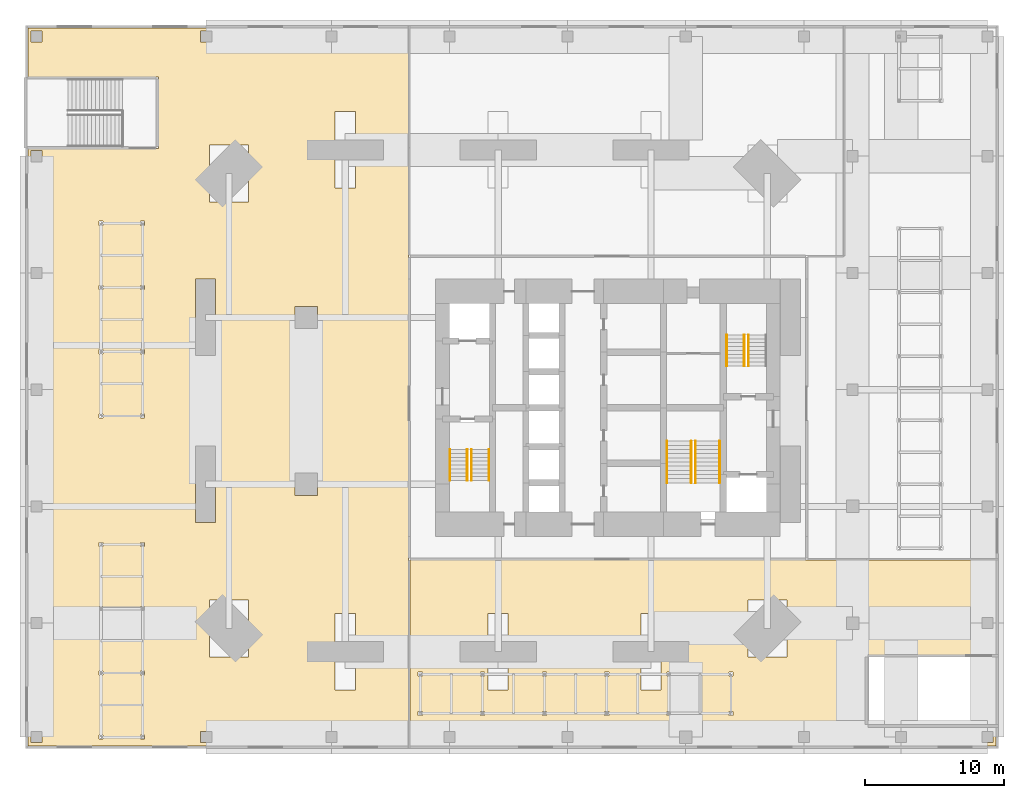
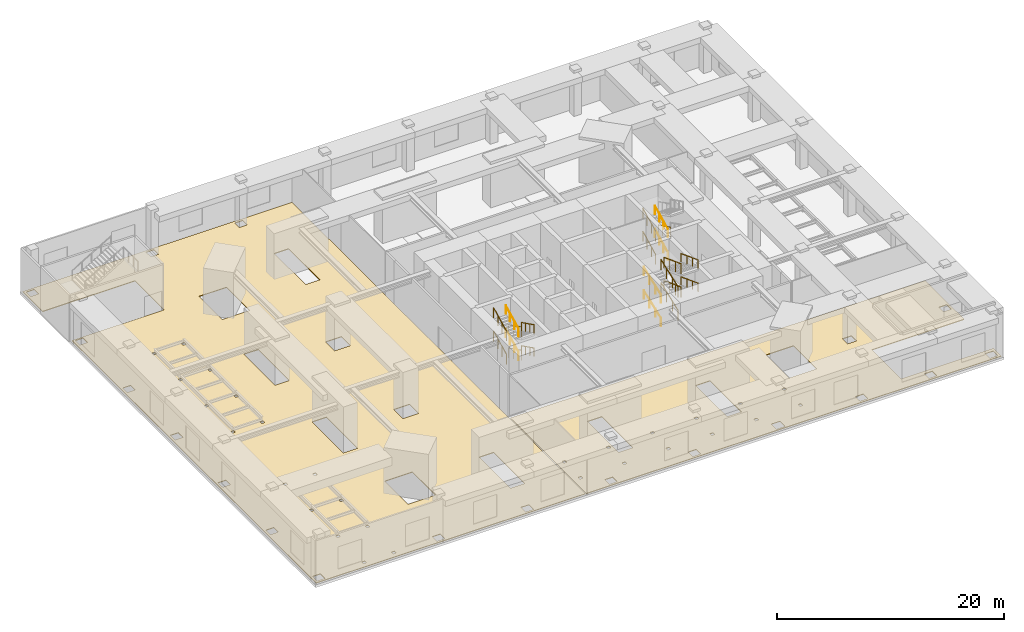
# One storey, part 16 of 17: 21 railings, 2 coverings.
"""IFC4 building model written with IfcOpenShell, lengths in metres."""

from ifc_helpers import new_model, si_unit, direction, frame, origin, origin_2d, place, context, subcontext, project, spatial, polyline, rectangle, circle, outline, extrude, material, layer, layer_set, constituent, constituent_set, type_object, element, save


model = new_model("IFC4")

# Units and contexts
model_context = context("Model", 3, precision=1e-05, world=origin(), true_north=direction((0.0, 1.0)))
body_context = subcontext(model_context, "Body", "Model", "MODEL_VIEW")
ifc_project = project(units=[si_unit("LENGTHUNIT", "METRE"), si_unit("AREAUNIT", "SQUARE_METRE"), si_unit("VOLUMEUNIT", "CUBIC_METRE"), si_unit("PLANEANGLEUNIT", "RADIAN"), si_unit("MASSUNIT", "GRAM", prefix="KILO")], contexts=[model_context])

# Site, building, storey
site_placement = place(None, origin())
site = spatial("IfcSite", under=ifc_project, at=site_placement, CompositionType="ELEMENT")
building_placement = place(site_placement, origin())
building = spatial("IfcBuilding", under=site, at=building_placement, Name="Jalousie Tower", CompositionType="ELEMENT")
storey_placement = place(building_placement, frame((0.0, 0.0, 16.0)))
storey = spatial("IfcBuildingStorey", under=building, at=storey_placement, Name="L03", CompositionType="ELEMENT", Elevation=16.0)

# Coverings
ifc_material_1 = material(Name="Sand-cement screed on resilient layer", Category="concrete")
ifc_layer = layer(ifc_material_1, 0.070068359375)
ifc_layer_set = layer_set([ifc_layer], Name="Sand-cement screed on resilient layer")
covering_type = type_object("IfcCoveringType", Name="FLOATING PLANT SCREED 70", PredefinedType="FLOORING", material=ifc_layer_set)
covering_1_placement = place(storey_placement, origin())
element("IfcCovering", 1, at=covering_1_placement, inside=storey, type_object=covering_type, Name="Floating screed Mechanical plant room", PredefinedType="FLOORING", context=body_context, shape_type="SweptSolid", body=[
    extrude(outline(polyline([(-0.449951171875, 37.14990234375), (-0.449951171875, 42.300048828125), (-9.824951171875, 42.300048828125), (-9.824951171875, 45.824951171875), (17.550048828125, 45.824951171875), (17.550048828125, -5.824951171875), (-9.824951171875, -5.824951171875), (-9.824951171875, 37.14990234375), (-0.449951171875, 37.14990234375)]), holes=[polyline([(12.27490234375, 39.800048828125), (12.27490234375, 34.300048828125), (13.72509765625, 34.300048828125), (13.72509765625, 39.800048828125), (12.27490234375, 39.800048828125)]), polyline([(12.27490234375, 3.699951171875), (12.27490234375, -1.800048828125), (13.72509765625, -1.800048828125), (13.72509765625, 3.699951171875), (12.27490234375, 3.699951171875)]), polyline([(11.60009765625, 45.60009765625), (11.60009765625, 44.800048828125), (12.39990234375, 44.800048828125), (12.39990234375, 45.60009765625), (11.60009765625, 45.60009765625)]), polyline([(11.60009765625, -4.800048828125), (11.60009765625, -5.60009765625), (12.39990234375, -5.60009765625), (12.39990234375, -4.800048828125), (11.60009765625, -4.800048828125)]), polyline([(9.39990234375, 25.800048828125), (9.39990234375, 24.199951171875), (11.0, 24.199951171875), (11.0, 25.800048828125), (9.39990234375, 25.800048828125)]), polyline([(9.39990234375, 13.800048828125), (9.39990234375, 12.199951171875), (11.0, 12.199951171875), (11.0, 13.800048828125), (9.39990234375, 13.800048828125)]), polyline([(3.2314453125, 37.418701171875), (3.2314453125, 33.318603515625), (6.031494140625, 33.318603515625), (6.031494140625, 37.418701171875), (3.2314453125, 37.418701171875)]), polyline([(3.2314453125, 4.681396484375), (3.2314453125, 0.581298828125), (6.031494140625, 0.581298828125), (6.031494140625, 4.681396484375), (3.2314453125, 4.681396484375)]), polyline([(2.22509765625, 27.75), (2.22509765625, 22.25), (3.675048828125, 22.25), (3.675048828125, 27.75), (2.22509765625, 27.75)]), polyline([(2.22509765625, 15.75), (2.22509765625, 10.25), (3.675048828125, 10.25), (3.675048828125, 15.75), (2.22509765625, 15.75)]), polyline([(2.60009765625, -5.60009765625), (3.39990234375, -5.60009765625), (3.39990234375, -4.800048828125), (2.60009765625, -4.800048828125), (2.60009765625, -5.60009765625)]), polyline([(2.60009765625, 45.60009765625), (2.60009765625, 44.800048828125), (3.39990234375, 44.800048828125), (3.39990234375, 45.60009765625), (2.60009765625, 45.60009765625)]), polyline([(-9.60009765625, 45.60009765625), (-9.60009765625, 44.800048828125), (-8.800048828125, 44.800048828125), (-8.800048828125, 45.60009765625), (-9.60009765625, 45.60009765625)]), polyline([(-9.60009765625, 36.199951171875), (-8.800048828125, 36.199951171875), (-8.800048828125, 37.0), (-9.60009765625, 37.0), (-9.60009765625, 36.199951171875)]), polyline([(-9.60009765625, 28.60009765625), (-9.60009765625, 27.800048828125), (-8.800048828125, 27.800048828125), (-8.800048828125, 28.60009765625), (-9.60009765625, 28.60009765625)]), polyline([(-9.60009765625, 19.39990234375), (-8.800048828125, 19.39990234375), (-8.800048828125, 20.199951171875), (-9.60009765625, 20.199951171875), (-9.60009765625, 19.39990234375)]), polyline([(-9.60009765625, 11.800048828125), (-9.60009765625, 11.0), (-8.800048828125, 11.0), (-8.800048828125, 11.800048828125), (-9.60009765625, 11.800048828125)]), polyline([(-9.60009765625, 2.60009765625), (-8.800048828125, 2.60009765625), (-8.800048828125, 3.39990234375), (-9.60009765625, 3.39990234375), (-9.60009765625, 2.60009765625)]), polyline([(-9.60009765625, -4.800048828125), (-9.60009765625, -5.60009765625), (-8.800048828125, -5.60009765625), (-8.800048828125, -4.800048828125), (-9.60009765625, -4.800048828125)]), polyline([(-4.72509765625, -5.35009765625), (-4.425048828125, -5.35009765625), (-4.425048828125, -5.050048828125), (-4.72509765625, -5.050048828125), (-4.72509765625, -5.35009765625)]), polyline([(-1.72509765625, -5.35009765625), (-1.425048828125, -5.35009765625), (-1.425048828125, -5.050048828125), (-1.72509765625, -5.050048828125), (-1.72509765625, -5.35009765625)]), polyline([(-4.72509765625, -0.727783203125), (-4.425048828125, -0.727783203125), (-4.425048828125, -0.427734375), (-4.72509765625, -0.427734375), (-4.72509765625, -0.727783203125)]), polyline([(-1.72509765625, -0.727783203125), (-1.425048828125, -0.727783203125), (-1.425048828125, -0.427734375), (-1.72509765625, -0.427734375), (-1.72509765625, -0.727783203125)]), polyline([(-4.72509765625, 3.894287109375), (-4.425048828125, 3.894287109375), (-4.425048828125, 4.1943359375), (-4.72509765625, 4.1943359375), (-4.72509765625, 3.894287109375)]), polyline([(-1.72509765625, 3.894287109375), (-1.425048828125, 3.894287109375), (-1.425048828125, 4.1943359375), (-1.72509765625, 4.1943359375), (-1.72509765625, 3.894287109375)]), polyline([(-4.72509765625, 8.5166015625), (-4.425048828125, 8.5166015625), (-4.425048828125, 8.816650390625), (-4.72509765625, 8.816650390625), (-4.72509765625, 8.5166015625)]), polyline([(-1.72509765625, 8.5166015625), (-1.425048828125, 8.5166015625), (-1.425048828125, 8.816650390625), (-1.72509765625, 8.816650390625), (-1.72509765625, 8.5166015625)]), polyline([(-4.72509765625, 17.760986328125), (-4.425048828125, 17.760986328125), (-4.425048828125, 18.06103515625), (-4.72509765625, 18.06103515625), (-4.72509765625, 17.760986328125)]), polyline([(-1.72509765625, 17.760986328125), (-1.425048828125, 17.760986328125), (-1.425048828125, 18.06103515625), (-1.72509765625, 18.06103515625), (-1.72509765625, 17.760986328125)]), polyline([(-4.72509765625, 22.38330078125), (-4.425048828125, 22.38330078125), (-4.425048828125, 22.683349609375), (-4.72509765625, 22.683349609375), (-4.72509765625, 22.38330078125)]), polyline([(-1.72509765625, 22.38330078125), (-1.425048828125, 22.38330078125), (-1.425048828125, 22.683349609375), (-1.72509765625, 22.683349609375), (-1.72509765625, 22.38330078125)]), polyline([(-4.72509765625, 27.005615234375), (-4.425048828125, 27.005615234375), (-4.425048828125, 27.3056640625), (-4.72509765625, 27.3056640625), (-4.72509765625, 27.005615234375)]), polyline([(-1.72509765625, 27.005615234375), (-1.425048828125, 27.005615234375), (-1.425048828125, 27.3056640625), (-1.72509765625, 27.3056640625), (-1.72509765625, 27.005615234375)]), polyline([(-4.72509765625, 31.627685546875), (-4.425048828125, 31.627685546875), (-4.425048828125, 31.927734375), (-4.72509765625, 31.927734375), (-4.72509765625, 31.627685546875)]), polyline([(-1.72509765625, 31.627685546875), (-1.425048828125, 31.627685546875), (-1.425048828125, 31.927734375), (-1.72509765625, 31.927734375), (-1.72509765625, 31.627685546875)])]), origin(), (0.0, 0.0, 1.0), 0.070068359375),
])
covering_2_placement = place(storey_placement, origin())
element("IfcCovering", 2, at=covering_2_placement, inside=storey, type_object=covering_type, Name="Floating screed Electrical plant room", PredefinedType="FLOORING", context=body_context, shape_type="SweptSolid", body=[
    extrude(outline(polyline([(17.64990234375, 7.550048828125), (59.824951171875, 7.550048828125), (59.824951171875, 0.699951171875), (50.449951171875, 0.699951171875), (50.449951171875, -4.449951171875), (59.824951171875, -4.449951171875), (59.824951171875, -5.824951171875), (17.64990234375, -5.824951171875), (17.64990234375, 7.550048828125)]), holes=[polyline([(58.800048828125, -4.800048828125), (58.800048828125, -5.60009765625), (59.60009765625, -5.60009765625), (59.60009765625, -4.800048828125), (58.800048828125, -4.800048828125)]), polyline([(58.800048828125, 3.39990234375), (58.800048828125, 2.60009765625), (59.60009765625, 2.60009765625), (59.60009765625, 3.39990234375), (58.800048828125, 3.39990234375)]), polyline([(52.60009765625, -4.800048828125), (52.60009765625, -5.60009765625), (53.39990234375, -5.60009765625), (53.39990234375, -4.800048828125), (52.60009765625, -4.800048828125)]), polyline([(49.050048828125, 2.550048828125), (49.949951171875, 2.550048828125), (49.949951171875, 3.449951171875), (49.050048828125, 3.449951171875), (49.050048828125, 2.550048828125)]), polyline([(45.60009765625, -4.800048828125), (45.60009765625, -5.60009765625), (46.39990234375, -5.60009765625), (46.39990234375, -4.800048828125), (45.60009765625, -4.800048828125)]), polyline([(41.968505859375, 4.681396484375), (41.968505859375, 0.581298828125), (44.7685546875, 0.581298828125), (44.7685546875, 4.681396484375), (41.968505859375, 4.681396484375)]), polyline([(37.050048828125, -4.75), (37.050048828125, -5.64990234375), (37.949951171875, -5.64990234375), (37.949951171875, -4.75), (37.050048828125, -4.75)]), polyline([(34.27490234375, -1.800048828125), (35.72509765625, -1.800048828125), (35.72509765625, 3.699951171875), (34.27490234375, 3.699951171875), (34.27490234375, -1.800048828125)]), polyline([(28.60009765625, -4.800048828125), (28.60009765625, -5.60009765625), (29.39990234375, -5.60009765625), (29.39990234375, -4.800048828125), (28.60009765625, -4.800048828125)]), polyline([(23.27490234375, 3.699951171875), (23.27490234375, -1.800048828125), (24.72509765625, -1.800048828125), (24.72509765625, 3.699951171875), (23.27490234375, 3.699951171875)]), polyline([(20.10009765625, -5.60009765625), (20.89990234375, -5.60009765625), (20.89990234375, -4.800048828125), (20.10009765625, -4.800048828125), (20.10009765625, -5.60009765625)]), polyline([(18.25, -3.637451171875), (18.550048828125, -3.637451171875), (18.550048828125, -3.33740234375), (18.25, -3.33740234375), (18.25, -3.637451171875)]), polyline([(18.25, -0.8125), (18.550048828125, -0.8125), (18.550048828125, -0.512451171875), (18.25, -0.512451171875), (18.25, -0.8125)]), polyline([(22.721435546875, -3.637451171875), (23.021484375, -3.637451171875), (23.021484375, -3.33740234375), (22.721435546875, -3.33740234375), (22.721435546875, -3.637451171875)]), polyline([(22.721435546875, -0.8125), (23.021484375, -0.8125), (23.021484375, -0.512451171875), (22.721435546875, -0.512451171875), (22.721435546875, -0.8125)]), polyline([(27.19287109375, -3.637451171875), (27.492919921875, -3.637451171875), (27.492919921875, -3.33740234375), (27.19287109375, -3.33740234375), (27.19287109375, -3.637451171875)]), polyline([(27.19287109375, -0.8125), (27.492919921875, -0.8125), (27.492919921875, -0.512451171875), (27.19287109375, -0.512451171875), (27.19287109375, -0.8125)]), polyline([(31.664306640625, -3.637451171875), (31.96435546875, -3.637451171875), (31.96435546875, -3.33740234375), (31.664306640625, -3.33740234375), (31.664306640625, -3.637451171875)]), polyline([(31.664306640625, -0.8125), (31.96435546875, -0.8125), (31.96435546875, -0.512451171875), (31.664306640625, -0.512451171875), (31.664306640625, -0.8125)]), polyline([(36.1357421875, -3.637451171875), (36.435791015625, -3.637451171875), (36.435791015625, -3.33740234375), (36.1357421875, -3.33740234375), (36.1357421875, -3.637451171875)]), polyline([(36.1357421875, -0.8125), (36.435791015625, -0.8125), (36.435791015625, -0.512451171875), (36.1357421875, -0.512451171875), (36.1357421875, -0.8125)]), polyline([(40.607177734375, -3.637451171875), (40.906982421875, -3.637451171875), (40.906982421875, -3.33740234375), (40.607177734375, -3.33740234375), (40.607177734375, -3.637451171875)]), polyline([(40.607177734375, -0.8125), (40.906982421875, -0.8125), (40.906982421875, -0.512451171875), (40.607177734375, -0.512451171875), (40.607177734375, -0.8125)])]), origin(), (0.0, 0.0, 1.0), 0.070068359375),
])

# Railings
ifc_material_2 = material(Name="Steel ASTM A500 Grade C", Category="steel")
ifc_constituent_1 = constituent(ifc_material_2, Name="Body")
ifc_material_3 = material(Name="Hot-dip galvanised zinc coating")
ifc_constituent_2 = constituent(ifc_material_3, Name="Finish")
ifc_constituent_set_1 = constituent_set(constituents=[ifc_constituent_1, ifc_constituent_2])
railing_type_1 = type_object("IfcRailingType", Name="STAIR GUARD 1100", PredefinedType="GUARDRAIL", material=ifc_constituent_set_1)
railing_1_placement = place(storey_placement, frame((22.092529296875, 15.49755859375, 0.138916015625)))
element("IfcRailing", 3, at=railing_1_placement, inside=storey, type_object=railing_type_1, Name="Exit stair A guard L03 flight 1", PredefinedType="GUARDRAIL", context=body_context, shape_type="SweptSolid", body=[
    extrude(rectangle(XDim=0.048095703125, YDim=0.048095703125, at=origin_2d()), frame((0.0, 0.0, 1.076171875), z_axis=(0.0, -0.895848192791, 0.444360231651), x_axis=(1.0, 0.0, 0.0)), (0.0, 0.0, 1.0), 2.50048828125),
    extrude(circle(Radius=0.02099609375, at=origin_2d()), origin(), (0.0, 0.0, 1.0), 1.052001953125),
    extrude(circle(Radius=0.02099609375, at=origin_2d()), frame((0.0, -0.74658203125, 0.370361328125)), (0.0, 0.0, 1.0), 1.052001953125),
    extrude(circle(Radius=0.02099609375, at=origin_2d()), frame((0.0, -1.493408203125, 0.74072265625)), (0.0, 0.0, 1.0), 1.052001953125),
    extrude(circle(Radius=0.02099609375, at=origin_2d()), frame((0.0, -2.239990234375, 1.111083984375)), (0.0, 0.0, 1.0), 1.052001953125),
])
railing_2_placement = place(storey_placement, frame((20.52978515625, 13.257568359375, 1.388916015625)))
element("IfcRailing", 4, at=railing_2_placement, inside=storey, type_object=railing_type_1, Name="Exit stair A guard L03 flight 2", PredefinedType="GUARDRAIL", context=body_context, shape_type="SweptSolid", body=[
    extrude(rectangle(XDim=0.048095703125, YDim=0.048095703125, at=origin_2d()), frame((0.0, 0.0, 1.076171875), z_axis=(0.0, 0.895848192791, 0.444360231651), x_axis=(-1.0, 0.0, 0.0)), (0.0, 0.0, 1.0), 2.50048828125),
    extrude(circle(Radius=0.02099609375, at=origin_2d()), origin(), (0.0, 0.0, 1.0), 1.052001953125),
    extrude(circle(Radius=0.02099609375, at=origin_2d()), frame((0.0, 0.74658203125, 0.370361328125)), (0.0, 0.0, 1.0), 1.052001953125),
    extrude(circle(Radius=0.02099609375, at=origin_2d()), frame((0.0, 1.493408203125, 0.74072265625)), (0.0, 0.0, 1.0), 1.052001953125),
    extrude(circle(Radius=0.02099609375, at=origin_2d()), frame((0.0, 2.239990234375, 1.111083984375)), (0.0, 0.0, 1.0), 1.052001953125),
])
railing_3_placement = place(storey_placement, frame((22.092529296875, 15.49755859375, 2.638916015625)))
element("IfcRailing", 5, at=railing_3_placement, inside=storey, type_object=railing_type_1, Name="Exit stair A guard L03 flight 3", PredefinedType="GUARDRAIL", context=body_context, shape_type="SweptSolid", body=[
    extrude(rectangle(XDim=0.048095703125, YDim=0.048095703125, at=origin_2d()), frame((0.0, 0.0, 1.076171875), z_axis=(0.0, -0.895848192791, 0.444360231651), x_axis=(1.0, 0.0, 0.0)), (0.0, 0.0, 1.0), 2.50048828125),
    extrude(circle(Radius=0.02099609375, at=origin_2d()), origin(), (0.0, 0.0, 1.0), 1.052001953125),
    extrude(circle(Radius=0.02099609375, at=origin_2d()), frame((0.0, -0.74658203125, 0.370361328125)), (0.0, 0.0, 1.0), 1.052001953125),
    extrude(circle(Radius=0.02099609375, at=origin_2d()), frame((0.0, -1.493408203125, 0.74072265625)), (0.0, 0.0, 1.0), 1.052001953125),
    extrude(circle(Radius=0.02099609375, at=origin_2d()), frame((0.0, -2.239990234375, 1.111083984375)), (0.0, 0.0, 1.0), 1.052001953125),
])
for number, where, name in (
    (6, (20.52978515625, 13.257568359375, 3.888916015625), "Exit stair A guard L03 flight 4"),
    (7, (40.455078125, 21.50244140625, 0.138916015625), "Exit stair B guard L03 flight 1"),
):
    element("IfcRailing", number, at=place(storey_placement, frame(where)), inside=storey, type_object=railing_type_1, Name=name, PredefinedType="GUARDRAIL", context=body_context, shape_type="SweptSolid", body=[
        extrude(rectangle(XDim=0.048095703125, YDim=0.048095703125, at=origin_2d()), frame((0.0, 0.0, 1.076171875), z_axis=(0.0, 0.895848192791, 0.444360231651), x_axis=(-1.0, 0.0, 0.0)), (0.0, 0.0, 1.0), 2.50048828125),
        extrude(circle(Radius=0.02099609375, at=origin_2d()), origin(), (0.0, 0.0, 1.0), 1.052001953125),
        extrude(circle(Radius=0.02099609375, at=origin_2d()), frame((0.0, 0.74658203125, 0.370361328125)), (0.0, 0.0, 1.0), 1.052001953125),
        extrude(circle(Radius=0.02099609375, at=origin_2d()), frame((0.0, 1.493408203125, 0.74072265625)), (0.0, 0.0, 1.0), 1.052001953125),
        extrude(circle(Radius=0.02099609375, at=origin_2d()), frame((0.0, 2.239990234375, 1.111083984375)), (0.0, 0.0, 1.0), 1.052001953125),
    ])
railing_4_placement = place(storey_placement, frame((42.017578125, 23.742431640625, 1.388916015625)))
element("IfcRailing", 8, at=railing_4_placement, inside=storey, type_object=railing_type_1, Name="Exit stair B guard L03 flight 2", PredefinedType="GUARDRAIL", context=body_context, shape_type="SweptSolid", body=[
    extrude(rectangle(XDim=0.048095703125, YDim=0.048095703125, at=origin_2d()), frame((0.0, 0.0, 1.076171875), z_axis=(0.0, -0.895848192791, 0.444360231651), x_axis=(1.0, 0.0, 0.0)), (0.0, 0.0, 1.0), 2.50048828125),
    extrude(circle(Radius=0.02099609375, at=origin_2d()), origin(), (0.0, 0.0, 1.0), 1.052001953125),
    extrude(circle(Radius=0.02099609375, at=origin_2d()), frame((0.0, -0.74658203125, 0.370361328125)), (0.0, 0.0, 1.0), 1.052001953125),
    extrude(circle(Radius=0.02099609375, at=origin_2d()), frame((0.0, -1.493408203125, 0.74072265625)), (0.0, 0.0, 1.0), 1.052001953125),
    extrude(circle(Radius=0.02099609375, at=origin_2d()), frame((0.0, -2.239990234375, 1.111083984375)), (0.0, 0.0, 1.0), 1.052001953125),
])
railing_5_placement = place(storey_placement, frame((40.455078125, 21.50244140625, 2.638916015625)))
element("IfcRailing", 9, at=railing_5_placement, inside=storey, type_object=railing_type_1, Name="Exit stair B guard L03 flight 3", PredefinedType="GUARDRAIL", context=body_context, shape_type="SweptSolid", body=[
    extrude(rectangle(XDim=0.048095703125, YDim=0.048095703125, at=origin_2d()), frame((0.0, 0.0, 1.076171875), z_axis=(0.0, 0.895848192791, 0.444360231651), x_axis=(-1.0, 0.0, 0.0)), (0.0, 0.0, 1.0), 2.50048828125),
    extrude(circle(Radius=0.02099609375, at=origin_2d()), origin(), (0.0, 0.0, 1.0), 1.052001953125),
    extrude(circle(Radius=0.02099609375, at=origin_2d()), frame((0.0, 0.74658203125, 0.370361328125)), (0.0, 0.0, 1.0), 1.052001953125),
    extrude(circle(Radius=0.02099609375, at=origin_2d()), frame((0.0, 1.493408203125, 0.74072265625)), (0.0, 0.0, 1.0), 1.052001953125),
    extrude(circle(Radius=0.02099609375, at=origin_2d()), frame((0.0, 2.239990234375, 1.111083984375)), (0.0, 0.0, 1.0), 1.052001953125),
])
railing_6_placement = place(storey_placement, frame((37.89501953125, 13.097412109375, 0.113525390625)))
element("IfcRailing", 10, at=railing_6_placement, inside=storey, type_object=railing_type_1, Name="Exit stair C guard L03 flight 1", PredefinedType="GUARDRAIL", context=body_context, shape_type="SweptSolid", body=[
    extrude(rectangle(XDim=0.048095703125, YDim=0.048095703125, at=origin_2d()), frame((0.0, 0.0, 1.076171875), z_axis=(0.0, 0.935147985876, 0.354257313985), x_axis=(-1.0, 0.0, 0.0)), (0.0, 0.0, 1.0), 3.2080078125),
    extrude(circle(Radius=0.02099609375, at=origin_2d()), origin(), (0.0, 0.0, 1.0), 1.052001953125),
    extrude(circle(Radius=0.02099609375, at=origin_2d()), frame((0.0, 1.0, 0.37890625)), (0.0, 0.0, 1.0), 1.052001953125),
    extrude(circle(Radius=0.02099609375, at=origin_2d()), frame((0.0, 2.0, 0.757568359375)), (0.0, 0.0, 1.0), 1.052001953125),
    extrude(circle(Radius=0.02099609375, at=origin_2d()), frame((0.0, 3.0, 1.136474609375)), (0.0, 0.0, 1.0), 1.052001953125),
])
railing_7_placement = place(storey_placement, frame((38.205078125, 16.097412109375, 1.363525390625)))
element("IfcRailing", 11, at=railing_7_placement, inside=storey, type_object=railing_type_1, Name="Exit stair C guard L03 flight 2", PredefinedType="GUARDRAIL", context=body_context, shape_type="SweptSolid", body=[
    extrude(rectangle(XDim=0.048095703125, YDim=0.048095703125, at=origin_2d()), frame((0.0, 0.0, 1.076171875), z_axis=(0.0, -0.935147985876, 0.354257313985), x_axis=(1.0, 0.0, 0.0)), (0.0, 0.0, 1.0), 3.2080078125),
    extrude(circle(Radius=0.02099609375, at=origin_2d()), origin(), (0.0, 0.0, 1.0), 1.052001953125),
    extrude(circle(Radius=0.02099609375, at=origin_2d()), frame((0.0, -1.0, 0.37890625)), (0.0, 0.0, 1.0), 1.052001953125),
    extrude(circle(Radius=0.02099609375, at=origin_2d()), frame((0.0, -2.0, 0.757568359375)), (0.0, 0.0, 1.0), 1.052001953125),
    extrude(circle(Radius=0.02099609375, at=origin_2d()), frame((0.0, -3.0, 1.136474609375)), (0.0, 0.0, 1.0), 1.052001953125),
])
railing_8_placement = place(storey_placement, frame((37.89501953125, 13.097412109375, 2.613525390625)))
element("IfcRailing", 12, at=railing_8_placement, inside=storey, type_object=railing_type_1, Name="Exit stair C guard L03 flight 3", PredefinedType="GUARDRAIL", context=body_context, shape_type="SweptSolid", body=[
    extrude(rectangle(XDim=0.048095703125, YDim=0.048095703125, at=origin_2d()), frame((0.0, 0.0, 1.076171875), z_axis=(0.0, 0.935147985876, 0.354257313985), x_axis=(-1.0, 0.0, 0.0)), (0.0, 0.0, 1.0), 3.2080078125),
    extrude(circle(Radius=0.02099609375, at=origin_2d()), origin(), (0.0, 0.0, 1.0), 1.052001953125),
    extrude(circle(Radius=0.02099609375, at=origin_2d()), frame((0.0, 1.0, 0.37890625)), (0.0, 0.0, 1.0), 1.052001953125),
    extrude(circle(Radius=0.02099609375, at=origin_2d()), frame((0.0, 2.0, 0.757568359375)), (0.0, 0.0, 1.0), 1.052001953125),
    extrude(circle(Radius=0.02099609375, at=origin_2d()), frame((0.0, 3.0, 1.136474609375)), (0.0, 0.0, 1.0), 1.052001953125),
])
railing_9_placement = place(storey_placement, frame((38.205078125, 16.097412109375, 3.863525390625)))
element("IfcRailing", 13, at=railing_9_placement, inside=storey, type_object=railing_type_1, Name="Exit stair C guard L03 flight 4", PredefinedType="GUARDRAIL", context=body_context, shape_type="SweptSolid", body=[
    extrude(rectangle(XDim=0.048095703125, YDim=0.048095703125, at=origin_2d()), frame((0.0, 0.0, 1.076171875), z_axis=(0.0, -0.935147985876, 0.354257313985), x_axis=(1.0, 0.0, 0.0)), (0.0, 0.0, 1.0), 3.2080078125),
    extrude(circle(Radius=0.02099609375, at=origin_2d()), origin(), (0.0, 0.0, 1.0), 1.052001953125),
    extrude(circle(Radius=0.02099609375, at=origin_2d()), frame((0.0, -1.0, 0.37890625)), (0.0, 0.0, 1.0), 1.052001953125),
    extrude(circle(Radius=0.02099609375, at=origin_2d()), frame((0.0, -2.0, 0.757568359375)), (0.0, 0.0, 1.0), 1.052001953125),
    extrude(circle(Radius=0.02099609375, at=origin_2d()), frame((0.0, -3.0, 1.136474609375)), (0.0, 0.0, 1.0), 1.052001953125),
])
ifc_material_4 = material(Name="Steel ASTM A500 Grade C", Category="steel")
ifc_constituent_3 = constituent(ifc_material_4, Name="Body")
ifc_material_5 = material(Name="Hot-dip galvanised zinc coating")
ifc_constituent_4 = constituent(ifc_material_5, Name="Finish")
ifc_constituent_set_2 = constituent_set(constituents=[ifc_constituent_3, ifc_constituent_4])
railing_type_2 = type_object("IfcRailingType", Name="STAIR HANDRAIL 900", PredefinedType="HANDRAIL", material=ifc_constituent_set_2)
railing_10_placement = place(storey_placement, frame((23.34521484375, 15.49755859375, 0.138916015625)))
element("IfcRailing", 14, at=railing_10_placement, inside=storey, type_object=railing_type_2, Name="Exit stair A handrail L03 flight 1", PredefinedType="HANDRAIL", context=body_context, shape_type="SweptSolid", body=[
    extrude(circle(Radius=0.02392578125, at=origin_2d()), frame((0.0, 0.0, 0.8759765625), z_axis=(0.0, -0.895848192791, 0.444360231651), x_axis=(1.0, 0.0, 0.0)), (0.0, 0.0, 1.0), 2.50048828125),
    extrude(circle(Radius=0.02099609375, at=origin_2d()), origin(), (0.0, 0.0, 1.0), 0.851806640625),
    extrude(circle(Radius=0.02099609375, at=origin_2d()), frame((0.0, -0.74658203125, 0.370361328125)), (0.0, 0.0, 1.0), 0.851806640625),
    extrude(circle(Radius=0.02099609375, at=origin_2d()), frame((0.0, -1.493408203125, 0.74072265625)), (0.0, 0.0, 1.0), 0.851806640625),
    extrude(circle(Radius=0.02099609375, at=origin_2d()), frame((0.0, -2.239990234375, 1.111083984375)), (0.0, 0.0, 1.0), 0.851806640625),
])
railing_11_placement = place(storey_placement, frame((21.782470703125, 13.257568359375, 1.388916015625)))
element("IfcRailing", 15, at=railing_11_placement, inside=storey, type_object=railing_type_2, Name="Exit stair A handrail L03 flight 2", PredefinedType="HANDRAIL", context=body_context, shape_type="SweptSolid", body=[
    extrude(circle(Radius=0.02392578125, at=origin_2d()), frame((0.0, 0.0, 0.8759765625), z_axis=(0.0, 0.895848192791, 0.444360231651), x_axis=(-1.0, 0.0, 0.0)), (0.0, 0.0, 1.0), 2.50048828125),
    extrude(circle(Radius=0.02099609375, at=origin_2d()), origin(), (0.0, 0.0, 1.0), 0.851806640625),
    extrude(circle(Radius=0.02099609375, at=origin_2d()), frame((0.0, 0.74658203125, 0.370361328125)), (0.0, 0.0, 1.0), 0.851806640625),
    extrude(circle(Radius=0.02099609375, at=origin_2d()), frame((0.0, 1.493408203125, 0.74072265625)), (0.0, 0.0, 1.0), 0.851806640625),
    extrude(circle(Radius=0.02099609375, at=origin_2d()), frame((0.0, 2.239990234375, 1.111083984375)), (0.0, 0.0, 1.0), 0.851806640625),
])
railing_12_placement = place(storey_placement, frame((23.34521484375, 15.49755859375, 2.638916015625)))
element("IfcRailing", 16, at=railing_12_placement, inside=storey, type_object=railing_type_2, Name="Exit stair A handrail L03 flight 3", PredefinedType="HANDRAIL", context=body_context, shape_type="SweptSolid", body=[
    extrude(circle(Radius=0.02392578125, at=origin_2d()), frame((0.0, 0.0, 0.8759765625), z_axis=(0.0, -0.895848192791, 0.444360231651), x_axis=(1.0, 0.0, 0.0)), (0.0, 0.0, 1.0), 2.50048828125),
    extrude(circle(Radius=0.02099609375, at=origin_2d()), origin(), (0.0, 0.0, 1.0), 0.851806640625),
    extrude(circle(Radius=0.02099609375, at=origin_2d()), frame((0.0, -0.74658203125, 0.370361328125)), (0.0, 0.0, 1.0), 0.851806640625),
    extrude(circle(Radius=0.02099609375, at=origin_2d()), frame((0.0, -1.493408203125, 0.74072265625)), (0.0, 0.0, 1.0), 0.851806640625),
    extrude(circle(Radius=0.02099609375, at=origin_2d()), frame((0.0, -2.239990234375, 1.111083984375)), (0.0, 0.0, 1.0), 0.851806640625),
])
for number, where, name in (
    (17, (21.782470703125, 13.257568359375, 3.888916015625), "Exit stair A handrail L03 flight 4"),
    (18, (41.70751953125, 21.50244140625, 0.138916015625), "Exit stair B handrail L03 flight 1"),
    (19, (41.70751953125, 21.50244140625, 2.638916015625), "Exit stair B handrail L03 flight 3"),
):
    element("IfcRailing", number, at=place(storey_placement, frame(where)), inside=storey, type_object=railing_type_2, Name=name, PredefinedType="HANDRAIL", context=body_context, shape_type="SweptSolid", body=[
        extrude(circle(Radius=0.02392578125, at=origin_2d()), frame((0.0, 0.0, 0.8759765625), z_axis=(0.0, 0.895848192791, 0.444360231651), x_axis=(-1.0, 0.0, 0.0)), (0.0, 0.0, 1.0), 2.50048828125),
        extrude(circle(Radius=0.02099609375, at=origin_2d()), origin(), (0.0, 0.0, 1.0), 0.851806640625),
        extrude(circle(Radius=0.02099609375, at=origin_2d()), frame((0.0, 0.74658203125, 0.370361328125)), (0.0, 0.0, 1.0), 0.851806640625),
        extrude(circle(Radius=0.02099609375, at=origin_2d()), frame((0.0, 1.493408203125, 0.74072265625)), (0.0, 0.0, 1.0), 0.851806640625),
        extrude(circle(Radius=0.02099609375, at=origin_2d()), frame((0.0, 2.239990234375, 1.111083984375)), (0.0, 0.0, 1.0), 0.851806640625),
    ])
railing_13_placement = place(storey_placement, frame((36.155029296875, 13.097412109375, 0.113525390625)))
element("IfcRailing", 20, at=railing_13_placement, inside=storey, type_object=railing_type_2, Name="Exit stair C handrail L03 flight 1", PredefinedType="HANDRAIL", context=body_context, shape_type="SweptSolid", body=[
    extrude(circle(Radius=0.02392578125, at=origin_2d()), frame((0.0, 0.0, 0.8759765625), z_axis=(0.0, 0.935147985876, 0.354257313985), x_axis=(-1.0, 0.0, 0.0)), (0.0, 0.0, 1.0), 3.2080078125),
    extrude(circle(Radius=0.02099609375, at=origin_2d()), origin(), (0.0, 0.0, 1.0), 0.851806640625),
    extrude(circle(Radius=0.02099609375, at=origin_2d()), frame((0.0, 1.0, 0.37890625)), (0.0, 0.0, 1.0), 0.851806640625),
    extrude(circle(Radius=0.02099609375, at=origin_2d()), frame((0.0, 2.0, 0.757568359375)), (0.0, 0.0, 1.0), 0.851806640625),
    extrude(circle(Radius=0.02099609375, at=origin_2d()), frame((0.0, 3.0, 1.136474609375)), (0.0, 0.0, 1.0), 0.851806640625),
])
railing_14_placement = place(storey_placement, frame((39.945068359375, 16.097412109375, 1.363525390625)))
element("IfcRailing", 21, at=railing_14_placement, inside=storey, type_object=railing_type_2, Name="Exit stair C handrail L03 flight 2", PredefinedType="HANDRAIL", context=body_context, shape_type="SweptSolid", body=[
    extrude(circle(Radius=0.02392578125, at=origin_2d()), frame((0.0, 0.0, 0.8759765625), z_axis=(0.0, -0.935147985876, 0.354257313985), x_axis=(1.0, 0.0, 0.0)), (0.0, 0.0, 1.0), 3.2080078125),
    extrude(circle(Radius=0.02099609375, at=origin_2d()), origin(), (0.0, 0.0, 1.0), 0.851806640625),
    extrude(circle(Radius=0.02099609375, at=origin_2d()), frame((0.0, -1.0, 0.37890625)), (0.0, 0.0, 1.0), 0.851806640625),
    extrude(circle(Radius=0.02099609375, at=origin_2d()), frame((0.0, -2.0, 0.757568359375)), (0.0, 0.0, 1.0), 0.851806640625),
    extrude(circle(Radius=0.02099609375, at=origin_2d()), frame((0.0, -3.0, 1.136474609375)), (0.0, 0.0, 1.0), 0.851806640625),
])
railing_15_placement = place(storey_placement, frame((36.155029296875, 13.097412109375, 2.613525390625)))
element("IfcRailing", 22, at=railing_15_placement, inside=storey, type_object=railing_type_2, Name="Exit stair C handrail L03 flight 3", PredefinedType="HANDRAIL", context=body_context, shape_type="SweptSolid", body=[
    extrude(circle(Radius=0.02392578125, at=origin_2d()), frame((0.0, 0.0, 0.8759765625), z_axis=(0.0, 0.935147985876, 0.354257313985), x_axis=(-1.0, 0.0, 0.0)), (0.0, 0.0, 1.0), 3.2080078125),
    extrude(circle(Radius=0.02099609375, at=origin_2d()), origin(), (0.0, 0.0, 1.0), 0.851806640625),
    extrude(circle(Radius=0.02099609375, at=origin_2d()), frame((0.0, 1.0, 0.37890625)), (0.0, 0.0, 1.0), 0.851806640625),
    extrude(circle(Radius=0.02099609375, at=origin_2d()), frame((0.0, 2.0, 0.757568359375)), (0.0, 0.0, 1.0), 0.851806640625),
    extrude(circle(Radius=0.02099609375, at=origin_2d()), frame((0.0, 3.0, 1.136474609375)), (0.0, 0.0, 1.0), 0.851806640625),
])
railing_16_placement = place(storey_placement, frame((39.945068359375, 16.097412109375, 3.863525390625)))
element("IfcRailing", 23, at=railing_16_placement, inside=storey, type_object=railing_type_2, Name="Exit stair C handrail L03 flight 4", PredefinedType="HANDRAIL", context=body_context, shape_type="SweptSolid", body=[
    extrude(circle(Radius=0.02392578125, at=origin_2d()), frame((0.0, 0.0, 0.8759765625), z_axis=(0.0, -0.935147985876, 0.354257313985), x_axis=(1.0, 0.0, 0.0)), (0.0, 0.0, 1.0), 3.2080078125),
    extrude(circle(Radius=0.02099609375, at=origin_2d()), origin(), (0.0, 0.0, 1.0), 0.851806640625),
    extrude(circle(Radius=0.02099609375, at=origin_2d()), frame((0.0, -1.0, 0.37890625)), (0.0, 0.0, 1.0), 0.851806640625),
    extrude(circle(Radius=0.02099609375, at=origin_2d()), frame((0.0, -2.0, 0.757568359375)), (0.0, 0.0, 1.0), 0.851806640625),
    extrude(circle(Radius=0.02099609375, at=origin_2d()), frame((0.0, -3.0, 1.136474609375)), (0.0, 0.0, 1.0), 0.851806640625),
])

save(model, "model.ifc")
